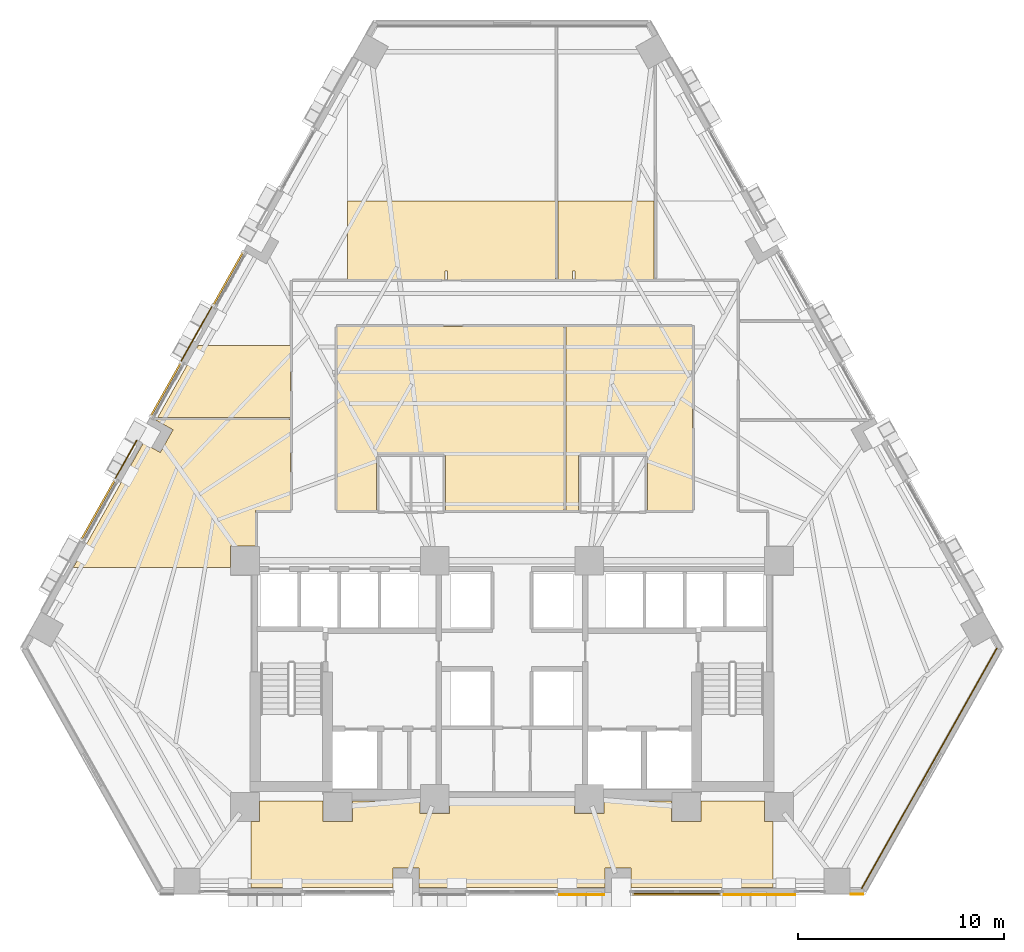
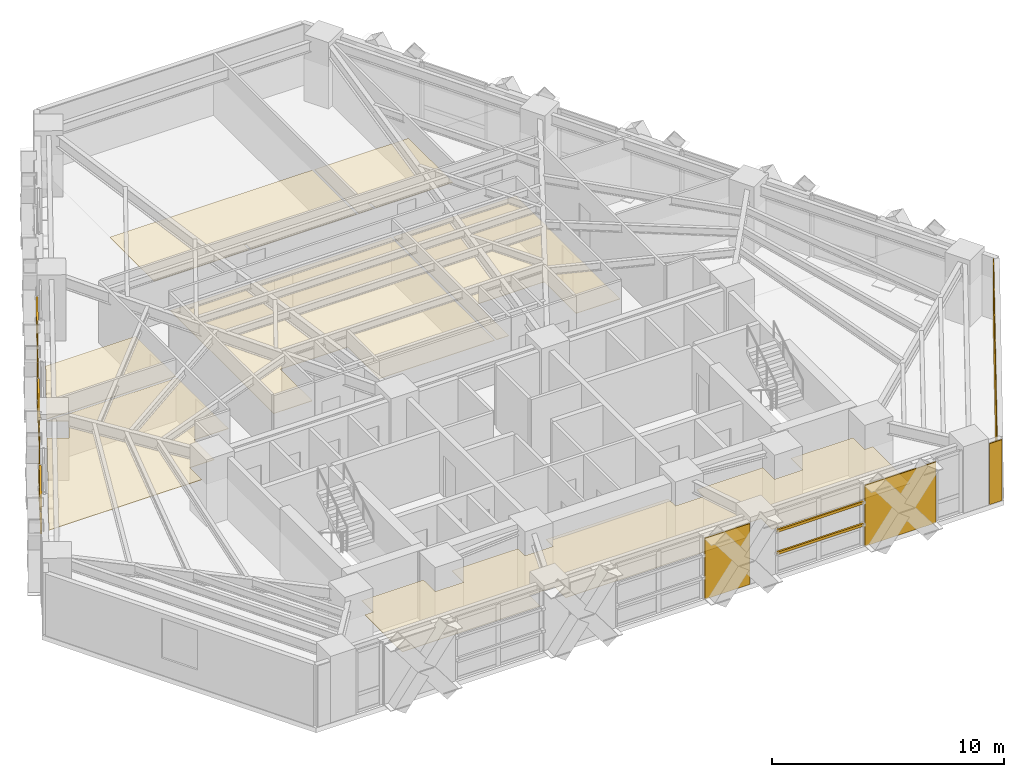
# One storey, part 11 of 13: 13 coverings, 8 shading devices.
"""IFC4 building model written with IfcOpenShell, lengths in metres."""

from ifc_helpers import new_model, si_unit, direction, frame, origin, origin_2d, place, context, subcontext, project, spatial, polyline, rectangle, outline, extrude, material, layer, layer_set, material_profile, profile_set, type_object, element, save


model = new_model("IFC4")

# Units and contexts
model_context = context("Model", 3, precision=1e-05, world=origin(), true_north=direction((0.0, 1.0)))
body_context = subcontext(model_context, "Body", "Model", "MODEL_VIEW")
ifc_project = project(units=[si_unit("LENGTHUNIT", "METRE"), si_unit("AREAUNIT", "SQUARE_METRE"), si_unit("VOLUMEUNIT", "CUBIC_METRE"), si_unit("PLANEANGLEUNIT", "RADIAN"), si_unit("MASSUNIT", "GRAM", prefix="KILO")], contexts=[model_context])

# Site, building, storey
site_placement = place(None, origin())
site = spatial("IfcSite", under=ifc_project, at=site_placement, CompositionType="ELEMENT")
building_placement = place(site_placement, origin())
building = spatial("IfcBuilding", under=site, at=building_placement, Name="Quenlor Broadcast Tower", CompositionType="ELEMENT")
storey_placement = place(building_placement, frame((0.0, 0.0, 52.10009765625)))
storey = spatial("IfcBuildingStorey", under=building, at=storey_placement, Name="L13", CompositionType="ELEMENT", Elevation=52.10009765625)

# Coverings
ifc_material_1 = material(Name="Acoustic Mineral Fibre Board", Category="other")
ifc_layer_1 = layer(ifc_material_1, 0.02490234375)
ifc_layer_set_1 = layer_set([ifc_layer_1], Name="Acoustic Perforated Mineral Tile Ceiling 25")
covering_type_1 = type_object("IfcCoveringType", Name="Acoustic Perforated Mineral Tile Ceiling 25", PredefinedType="CEILING", material=ifc_layer_set_1)
covering_1_placement = place(storey_placement, frame((0.0, 0.0, 2.224853515625)))
element("IfcCovering", 1, at=covering_1_placement, inside=storey, type_object=covering_type_1, Name="L13 Acoustic Ceiling L13-33", PredefinedType="CEILING", context=body_context, shape_type="SweptSolid", body=[
    extrude(outline(polyline([(6.89990234375, 8.830078125), (3.06005859375, 8.830078125), (3.06005859375, 9.25), (2.93994140625, 9.25), (2.93994140625, 8.830078125), (2.219970703125, 8.830078125), (2.219970703125, 12.64990234375), (6.89990234375, 12.64990234375), (6.89990234375, 8.830078125)])), origin(), (0.0, 0.0, 1.0), 0.025146484375),
])
covering_2_placement = place(storey_placement, frame((0.0, 0.0, 2.224853515625)))
element("IfcCovering", 2, at=covering_2_placement, inside=storey, type_object=covering_type_1, Name="L13 Acoustic Ceiling L13-34", PredefinedType="CEILING", context=body_context, shape_type="SweptSolid", body=[
    extrude(outline(polyline([(-3.139892578125, 8.830078125), (-3.139892578125, 9.25), (-3.260009765625, 9.25), (-3.260009765625, 8.830078125), (-7.97998046875, 8.830078125), (-7.97998046875, 12.64990234375), (2.10009765625, 12.64990234375), (2.10009765625, 8.830078125), (-3.139892578125, 8.830078125)])), origin(), (0.0, 0.0, 1.0), 0.025146484375),
])
covering_3_placement = place(storey_placement, frame((0.0, 0.0, 2.224853515625)))
element("IfcCovering", 3, at=covering_3_placement, inside=storey, type_object=covering_type_1, Name="L13 Acoustic Ceiling L13-37", PredefinedType="CEILING", context=body_context, shape_type="SweptSolid", body=[
    extrude(outline(polyline([(-17.182373046875, 2.159912109375), (-15.224853515625, 5.639892578125), (-10.7451171875, 5.639892578125), (-10.7451171875, 2.159912109375), (-17.182373046875, 2.159912109375)])), origin(), (0.0, 0.0, 1.0), 0.025146484375),
])
covering_4_placement = place(storey_placement, frame((0.0, 0.0, 2.224853515625)))
element("IfcCovering", 4, at=covering_4_placement, inside=storey, type_object=covering_type_1, Name="L13 Acoustic Ceiling L13-38", PredefinedType="CEILING", context=body_context, shape_type="SweptSolid", body=[
    extrude(outline(polyline([(6.570068359375, -2.3701171875), (6.570068359375, 0.3701171875), (3.22998046875, 0.3701171875), (3.22998046875, -2.3701171875), (2.909912109375, -2.3701171875), (2.631103515625, -2.3701171875), (2.631103515625, 6.570068359375), (2.909912109375, 6.570068359375), (8.7548828125, 6.570068359375), (8.7548828125, -2.3701171875), (6.570068359375, -2.3701171875)])), origin(), (0.0, 0.0, 1.0), 0.025146484375),
])
covering_5_placement = place(storey_placement, frame((0.0, 0.0, 2.224853515625)))
element("IfcCovering", 5, at=covering_5_placement, inside=storey, type_object=covering_type_1, Name="L13 Acoustic Ceiling L13-39", PredefinedType="CEILING", context=body_context, shape_type="SweptSolid", body=[
    extrude(outline(polyline([(-3.22998046875, -2.3701171875), (-3.22998046875, 0.3701171875), (-3.2900390625, 0.3701171875), (-6.570068359375, 0.3701171875), (-6.570068359375, -2.3701171875), (-8.485107421875, -2.3701171875), (-8.485107421875, 6.570068359375), (-3.2900390625, 6.570068359375), (2.510986328125, 6.570068359375), (2.510986328125, -2.3701171875), (-3.22998046875, -2.3701171875)])), origin(), (0.0, 0.0, 1.0), 0.025146484375),
])
covering_6_placement = place(storey_placement, frame((0.0, 0.0, 2.224853515625)))
element("IfcCovering", 6, at=covering_6_placement, inside=storey, type_object=covering_type_1, Name="L13 Acoustic Ceiling L13-40", PredefinedType="CEILING", context=body_context, shape_type="SweptSolid", body=[
    extrude(outline(polyline([(-17.884521484375, 0.912109375), (-17.0625, 0.44970703125), (-16.44189453125, 1.552978515625), (-17.263671875, 2.015380859375), (-17.25, 2.0400390625), (-10.7451171875, 2.0400390625), (-10.7451171875, -2.3701171875), (-12.43994140625, -2.3701171875), (-12.43994140625, -4.092041015625), (-13.657958984375, -4.092041015625), (-13.657958984375, -5.1201171875), (-21.27734375, -5.1201171875), (-17.884521484375, 0.912109375)])), origin(), (0.0, 0.0, 1.0), 0.025146484375),
])
covering_7_placement = place(storey_placement, frame((0.0, 0.0, 2.224853515625)))
element("IfcCovering", 7, at=covering_7_placement, inside=storey, type_object=covering_type_1, Name="L13 Acoustic Ceiling L13-40-5", PredefinedType="CEILING", context=body_context, shape_type="SweptSolid", body=[
    extrude(outline(polyline([(-12.241943359375, -17.4580078125), (-12.241943359375, -16.449951171875), (-9.157958984375, -16.449951171875), (-9.157958984375, -17.4580078125), (-7.741943359375, -17.4580078125), (-7.741943359375, -16.449951171875), (-4.4580078125, -16.449951171875), (-4.4580078125, -17.05810546875), (-3.0419921875, -17.05810546875), (-3.0419921875, -16.449951171875), (3.0419921875, -16.449951171875), (3.0419921875, -17.05810546875), (4.4580078125, -17.05810546875), (4.4580078125, -16.449951171875), (7.741943359375, -16.449951171875), (7.741943359375, -17.4580078125), (9.157958984375, -17.4580078125), (9.157958984375, -16.449951171875), (12.241943359375, -16.449951171875), (12.241943359375, -17.4580078125), (12.64990234375, -17.4580078125), (12.64990234375, -20.659912109375), (5.773681640625, -20.659912109375), (5.773681640625, -19.717041015625), (4.5078125, -19.717041015625), (4.5078125, -20.659912109375), (-4.5078125, -20.659912109375), (-4.5078125, -19.717041015625), (-5.773681640625, -19.717041015625), (-5.773681640625, -20.659912109375), (-12.64990234375, -20.659912109375), (-12.64990234375, -17.4580078125), (-12.241943359375, -17.4580078125)])), origin(), (0.0, 0.0, 1.0), 0.025146484375),
])

# Shading devices
ifc_material_2 = material(Name="Architectural Terracotta Ceramic", Category="masonry")
ifc_material_profile = material_profile(ifc_material_2, rectangle(XDim=0.090087890625, YDim=0.139892578125, at=origin_2d()))
ifc_profile_set = profile_set([ifc_material_profile], Name="Architectural Terracotta Ceramic BAG90x140")
shading_device_type = type_object("IfcShadingDeviceType", Name="Copper Terracotta Baguette Solar Screen 140", PredefinedType="USERDEFINED", material=ifc_profile_set)
for number, where, z_axis, x_axis, name in (
    (8, (10.134765625, -20.98291015625, 1.169921875), (-1.0, 0.0, 0.0), (0.0, -1.0, 0.0), "L13 Terracotta Baguette Screen 1"),
    (9, (10.134765625, -20.98291015625, 2.33984375), (-1.0, 0.0, 0.0), (0.0, -1.0, 0.0), "L13 Terracotta Baguette Screen 2"),
):
    element("IfcShadingDevice", number, at=place(storey_placement, frame(where, z_axis=z_axis, x_axis=x_axis)), inside=storey, type_object=shading_device_type, Name=name, ObjectType="BAGUETTE", PredefinedType="USERDEFINED", context=body_context, shape_type="SweptSolid", body=[
        extrude(rectangle(XDim=0.090087890625, YDim=0.139892578125, at=origin_2d()), origin(), (0.0, 0.0, 1.0), 4.303955078125),
    ])
for number, where, z_axis, x_axis, name in (
    (10, (-20.889404296875, -3.771484375, 1.169921875), (0.490289331496, 0.871559734855, 0.0), (-0.871559734855, 0.490289331496, 0.0), "L13 Terracotta Baguette Screen 1"),
    (11, (-20.889404296875, -3.771484375, 2.33984375), (0.490289331496, 0.871559734855, 0.0), (-0.871559734855, 0.490289331496, 0.0), "L13 Terracotta Baguette Screen 2"),
):
    element("IfcShadingDevice", number, at=place(storey_placement, frame(where, z_axis=z_axis, x_axis=x_axis)), inside=storey, type_object=shading_device_type, Name=name, ObjectType="BAGUETTE", PredefinedType="USERDEFINED", context=body_context, shape_type="SweptSolid", body=[
        extrude(rectangle(XDim=0.090087890625, YDim=0.139892578125, at=origin_2d()), origin(), (0.0, 0.0, 1.0), 3.301025390625),
    ])
for number, where, z_axis, x_axis, name in (
    (12, (-17.519775390625, 2.21923828125, 1.169921875), (0.490339873784, 0.871531300744, 0.0), (-0.871531300744, 0.490339873784, 0.0), "L13 Terracotta Baguette Screen 1"),
    (13, (-17.519775390625, 2.21923828125, 2.33984375), (0.490339873784, 0.871531300744, 0.0), (-0.871531300744, 0.490339873784, 0.0), "L13 Terracotta Baguette Screen 2"),
):
    element("IfcShadingDevice", number, at=place(storey_placement, frame(where, z_axis=z_axis, x_axis=x_axis)), inside=storey, type_object=shading_device_type, Name=name, ObjectType="BAGUETTE", PredefinedType="USERDEFINED", context=body_context, shape_type="SweptSolid", body=[
        extrude(rectangle(XDim=0.090087890625, YDim=0.139892578125, at=origin_2d()), origin(), (0.0, 0.0, 1.0), 2.947998046875),
    ])
for number, where, z_axis, x_axis, name in (
    (14, (-14.495849609375, 7.5947265625, 1.169921875), (0.490241581092, 0.871586594762, 0.0), (-0.871586594762, 0.490241581092, 0.0), "L13 Terracotta Baguette Screen 1"),
    (15, (-14.495849609375, 7.5947265625, 2.33984375), (0.490241581092, 0.871586594762, 0.0), (-0.871586594762, 0.490241581092, 0.0), "L13 Terracotta Baguette Screen 2"),
):
    element("IfcShadingDevice", number, at=place(storey_placement, frame(where, z_axis=z_axis, x_axis=x_axis)), inside=storey, type_object=shading_device_type, Name=name, ObjectType="BAGUETTE", PredefinedType="USERDEFINED", context=body_context, shape_type="SweptSolid", body=[
        extrude(rectangle(XDim=0.090087890625, YDim=0.139892578125, at=origin_2d()), origin(), (0.0, 0.0, 1.0), 2.9482421875),
    ])

# Coverings
ifc_material_3 = material(Name="Architectural Terracotta Ceramic", Category="masonry")
ifc_layer_2 = layer(ifc_material_3, 0.044921875)
ifc_layer_set_2 = layer_set([ifc_layer_2], Name="Fluted Terracotta Rainscreen Cladding Panel")
covering_type_2 = type_object("IfcCoveringType", Name="Fluted Terracotta Rainscreen Cladding Panel", PredefinedType="CLADDING", material=ifc_layer_set_2)
covering_8_placement = place(storey_placement, frame((0.0, 0.0, 0.02001953125)))
element("IfcCovering", 16, at=covering_8_placement, inside=storey, type_object=covering_type_2, Name="L13 Terracotta Rainscreen Cladding L13-SHD-SS0", PredefinedType="CLADDING", context=body_context, shape_type="SweptSolid", body=[
    extrude(outline(polyline([(17.0458984375, -20.951904296875), (16.425048828125, -20.951904296875), (16.425048828125, -20.9970703125), (17.0458984375, -20.9970703125), (17.0458984375, -20.951904296875)])), origin(), (0.0, 0.0, 1.0), 3.2099609375),
])
covering_9_placement = place(storey_placement, frame((0.0, 0.0, 0.02001953125)))
element("IfcCovering", 17, at=covering_9_placement, inside=storey, type_object=covering_type_2, Name="L13 Terracotta Rainscreen Cladding L13-SA-SP1", PredefinedType="CLADDING", context=body_context, shape_type="SweptSolid", body=[
    extrude(outline(polyline([(13.73681640625, -20.98193359375), (10.20458984375, -20.98193359375), (10.20458984375, -21.027099609375), (13.73681640625, -21.027099609375), (13.73681640625, -20.98193359375)])), origin(), (0.0, 0.0, 1.0), 3.2099609375),
])
covering_10_placement = place(storey_placement, frame((0.0, 0.0, 0.02001953125)))
element("IfcCovering", 18, at=covering_10_placement, inside=storey, type_object=covering_type_2, Name="L13 Terracotta Rainscreen Cladding L13-S-SP1", PredefinedType="CLADDING", context=body_context, shape_type="SweptSolid", body=[
    extrude(outline(polyline([(4.4658203125, -20.98193359375), (2.22412109375, -20.98193359375), (2.22412109375, -21.027099609375), (4.4658203125, -21.027099609375), (4.4658203125, -20.98193359375)])), origin(), (0.0, 0.0, 1.0), 3.2099609375),
])
covering_11_placement = place(storey_placement, frame((0.0, 0.0, 0.02001953125)))
element("IfcCovering", 19, at=covering_11_placement, inside=storey, type_object=covering_type_2, Name="L13 Terracotta Rainscreen Cladding L13-NWA-SP2", PredefinedType="CLADDING", context=body_context, shape_type="SweptSolid", body=[
    extrude(outline(polyline([(-19.236083984375, -0.833984375), (-18.18798828125, 1.029052734375), (-18.227294921875, 1.051025390625), (-19.275146484375, -0.81201171875), (-19.236083984375, -0.833984375)])), origin(), (0.0, 0.0, 1.0), 3.2099609375),
])
covering_12_placement = place(storey_placement, frame((0.0, 0.0, 0.02001953125)))
element("IfcCovering", 20, at=covering_12_placement, inside=storey, type_object=covering_type_2, Name="L13 Terracotta Rainscreen Cladding L13-NW-SP1", PredefinedType="CLADDING", context=body_context, shape_type="SweptSolid", body=[
    extrude(outline(polyline([(-16.039306640625, 4.84912109375), (-14.529296875, 7.533203125), (-14.568603515625, 7.555419921875), (-16.078369140625, 4.87109375), (-16.039306640625, 4.84912109375)])), origin(), (0.0, 0.0, 1.0), 3.2099609375),
])
covering_13_placement = place(storey_placement, frame((0.0, 0.0, 0.02001953125)))
element("IfcCovering", 21, at=covering_13_placement, inside=storey, type_object=covering_type_2, Name="L13 Terracotta Rainscreen Cladding L13-CNR-06", PredefinedType="CLADDING", context=body_context, shape_type="SweptSolid", body=[
    extrude(outline(polyline([(16.98388671875, -20.71533203125), (23.547607421875, -9.046875), (23.50830078125, -9.02490234375), (16.94482421875, -20.693359375), (16.98388671875, -20.71533203125)])), origin(), (0.0, 0.0, 1.0), 3.2099609375),
])

save(model, "model.ifc")
